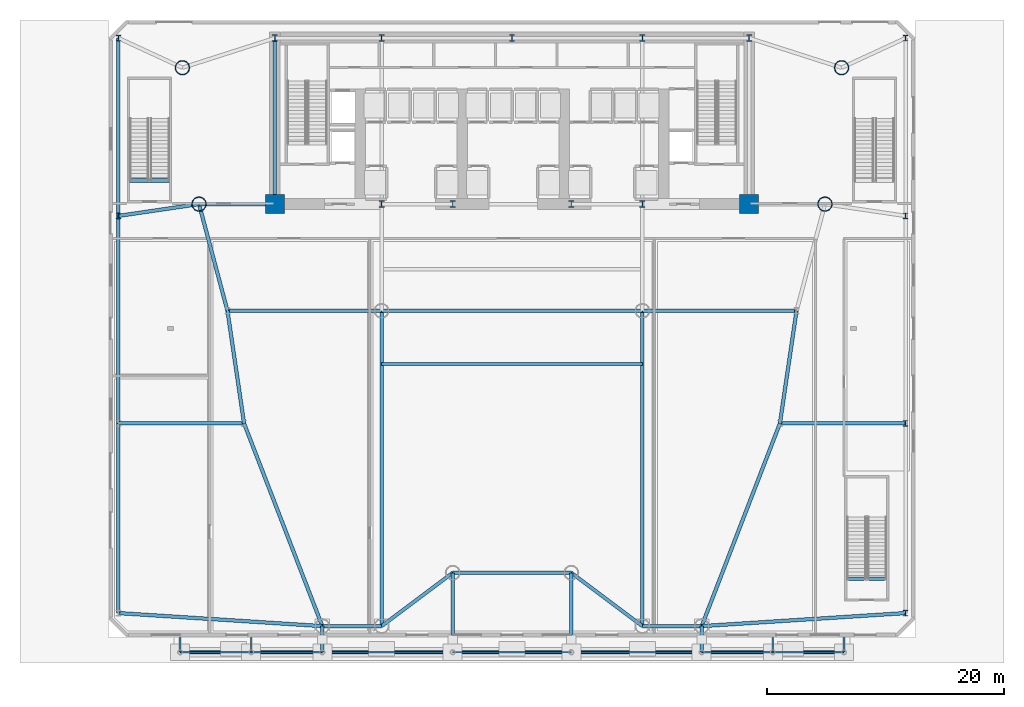
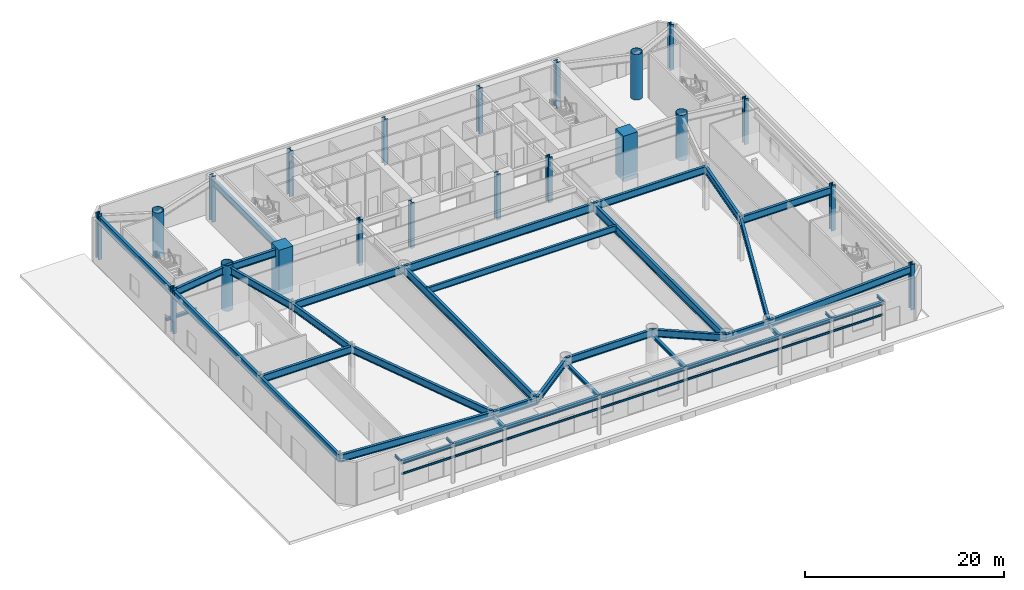
# One storey, part 4 of 20: 46 beams, 21 columns, 4 members.
"""IFC4 building model written with IfcOpenShell, lengths in metres."""

from ifc_helpers import new_model, si_unit, direction, frame, origin, origin_2d, place, context, subcontext, project, spatial, rectangle, hollow_circle, i_section, extrude, source, transform, mapped, material, material_profile, profile_set, type_object, element, save


model = new_model("IFC4")

# Units and contexts
model_context = context("Model", 3, precision=1e-05, world=origin(), true_north=direction((0.0, 1.0)))
body_context = subcontext(model_context, "Body", "Model", "MODEL_VIEW")
ifc_project = project(units=[si_unit("LENGTHUNIT", "METRE"), si_unit("AREAUNIT", "SQUARE_METRE"), si_unit("VOLUMEUNIT", "CUBIC_METRE"), si_unit("PLANEANGLEUNIT", "RADIAN"), si_unit("MASSUNIT", "GRAM", prefix="KILO")], contexts=[model_context])

# Site, building, storey
site_placement = place(None, origin())
site = spatial("IfcSite", under=ifc_project, at=site_placement, CompositionType="ELEMENT")
building_placement = place(site_placement, origin())
building = spatial("IfcBuilding", under=site, at=building_placement, Name="Vaeldorn Concourse Tower", CompositionType="ELEMENT")
storey_placement = place(building_placement, origin())
storey = spatial("IfcBuildingStorey", under=building, at=storey_placement, Name="L00", CompositionType="ELEMENT", Elevation=0.0)

# Columns
ifc_material_1 = material(Name="Concrete C60/75", Category="concrete")
ifc_material_profile_1 = material_profile(ifc_material_1, rectangle(XDim=1.60009765625, YDim=1.60009765625, at=origin_2d()), Name="RC 1600x1600")
ifc_profile_set_1 = profile_set([ifc_material_profile_1], Name="Concrete C60/75")
column_type_1 = type_object("IfcColumnType", Name="COL-RC1600", PredefinedType="COLUMN", material=ifc_profile_set_1)
shared_shape_1 = source(origin(), body_context, "Body", "SweptSolid", [
    extrude(rectangle(XDim=1.60009765625, YDim=1.60009765625, at=origin_2d()), origin(), (0.0, 0.0, 1.0), 5.60009765625),
])
for number, where, z_axis, x_axis, name in (
    (1, (14.0, 36.5, 0.0), (0.0, 0.0, 1.0), (1.0, 0.0, 0.0), "Column C-FC1 L00"),
    (2, (54.0, 36.5, 0.0), (0.0, 0.0, 1.0), (1.0, 0.0, 0.0), "Column C-FC6 L00"),
):
    element("IfcColumn", number, at=place(storey_placement, frame(where, z_axis=z_axis, x_axis=x_axis)), inside=storey, type_object=column_type_1, Name=name, PredefinedType="COLUMN", context=body_context, shape_type="MappedRepresentation", body=[
        mapped(shared_shape_1, transform((0.0, 0.0, 0.0), scale=1.0)),
    ])
ifc_material_2 = material(Name="Steel S460", Category="steel")
ifc_material_profile_2 = material_profile(ifc_material_2, i_section(OverallWidth=0.4541015625, OverallDepth=0.569091796875, WebThickness=0.077880859375, FlangeThickness=0.080078125, FilletRadius=0.014892578125, at=origin_2d()), Name="HD 400x1086")
ifc_profile_set_2 = profile_set([ifc_material_profile_2], Name="Steel S460")
column_type_2 = type_object("IfcColumnType", Name="COL-HD1086", PredefinedType="COLUMN", material=ifc_profile_set_2)
shared_shape_2 = source(origin(), body_context, "Body", "SweptSolid", [
    extrude(i_section(OverallWidth=0.4541015625, OverallDepth=0.569091796875, WebThickness=0.077880859375, FlangeThickness=0.080078125, FilletRadius=0.014892578125, at=origin_2d()), origin(), (0.0, 0.0, 1.0), 5.60009765625),
])
for number, where, z_axis, x_axis, name in (
    (3, (23.0, 36.5, 0.0), (0.0, 0.0, 1.0), (1.0, 0.0, 0.0), "Column C-FC2 L00"),
    (4, (29.0, 36.5, 0.0), (0.0, 0.0, 1.0), (1.0, 0.0, 0.0), "Column C-FC3 L00"),
    (5, (39.0, 36.5, 0.0), (0.0, 0.0, 1.0), (1.0, 0.0, 0.0), "Column C-FC4 L00"),
    (6, (45.0, 36.5, 0.0), (0.0, 0.0, 1.0), (1.0, 0.0, 0.0), "Column C-FC5 L00"),
    (7, (14.0, 50.5, 0.0), (0.0, 0.0, 1.0), (1.0, 0.0, 0.0), "Column C-HC1 L00"),
    (8, (23.0, 50.5, 0.0), (0.0, 0.0, 1.0), (1.0, 0.0, 0.0), "Column C-HC2 L00"),
    (9, (34.0, 50.5, 0.0), (0.0, 0.0, 1.0), (1.0, 0.0, 0.0), "Column C-HC3 L00"),
    (10, (45.0, 50.5, 0.0), (0.0, 0.0, 1.0), (1.0, 0.0, 0.0), "Column C-HC4 L00"),
    (11, (54.0, 50.5, 0.0), (0.0, 0.0, 1.0), (1.0, 0.0, 0.0), "Column C-HC5 L00"),
):
    element("IfcColumn", number, at=place(storey_placement, frame(where, z_axis=z_axis, x_axis=x_axis)), inside=storey, type_object=column_type_2, Name=name, PredefinedType="COLUMN", context=body_context, shape_type="MappedRepresentation", body=[
        mapped(shared_shape_2, transform((0.0, 0.0, 0.0), scale=1.0)),
    ])
ifc_material_profile_3 = material_profile(ifc_material_2, hollow_circle(Radius=0.609619140625, WallThickness=0.050048828125, at=origin_2d()), Name="CHS 1219x50")
ifc_profile_set_3 = profile_set([ifc_material_profile_3], Name="Steel S460")
column_type_3 = type_object("IfcColumnType", Name="COL-CHS1219", PredefinedType="COLUMN", material=ifc_profile_set_3)
shared_shape_3 = source(origin(), body_context, "Body", "SweptSolid", [
    extrude(hollow_circle(Radius=0.609619140625, WallThickness=0.050048828125, at=origin_2d()), origin(), (0.0, 0.0, 1.0), 5.60009765625),
])
for number, where, z_axis, x_axis, name in (
    (12, (6.199951171875, 48.0, 0.0), (0.0, 0.0, 1.0), (1.0, 0.0, 0.0), "Column C-NW1 L00"),
    (13, (7.60009765625, 36.5, 0.0), (0.0, 0.0, 1.0), (1.0, 0.0, 0.0), "Column C-NW2 L00"),
    (14, (61.800048828125, 48.0, 0.0), (0.0, 0.0, 1.0), (1.0, 0.0, 0.0), "Column C-NE1 L00"),
    (15, (60.39990234375, 36.5, 0.0), (0.0, 0.0, 1.0), (1.0, 0.0, 0.0), "Column C-NE2 L00"),
):
    element("IfcColumn", number, at=place(storey_placement, frame(where, z_axis=z_axis, x_axis=x_axis)), inside=storey, type_object=column_type_3, Name=name, PredefinedType="COLUMN", context=body_context, shape_type="MappedRepresentation", body=[
        mapped(shared_shape_3, transform((0.0, 0.0, 0.0), scale=1.0)),
    ])
ifc_material_profile_4 = material_profile(ifc_material_2, i_section(OverallWidth=0.44189453125, OverallDepth=0.531005859375, WebThickness=0.06494140625, FlangeThickness=0.075927734375, FilletRadius=0.014892578125, at=origin_2d()), Name="HD 400x900")
ifc_profile_set_4 = profile_set([ifc_material_profile_4], Name="Steel S460")
column_type_4 = type_object("IfcColumnType", Name="COL-HD900F", PredefinedType="COLUMN", material=ifc_profile_set_4)
shared_shape_4 = source(origin(), body_context, "Body", "SweptSolid", [
    extrude(i_section(OverallWidth=0.44189453125, OverallDepth=0.531005859375, WebThickness=0.06494140625, FlangeThickness=0.075927734375, FilletRadius=0.014892578125, at=origin_2d()), origin(), (0.0, 0.0, 1.0), 5.60009765625),
])
for number, where, z_axis, x_axis, name in (
    (16, (0.800048828125, 35.5, 0.0), (0.0, 0.0, 1.0), (1.0, 0.0, 0.0), "Column C-PW3 L00"),
    (17, (0.800048828125, 50.5, 0.0), (0.0, 0.0, 1.0), (1.0, 0.0, 0.0), "Column C-PW4 L00"),
    (18, (67.199951171875, 2.0, 0.0), (0.0, 0.0, 1.0), (1.0, 0.0, 0.0), "Column C-PE1 L00"),
    (19, (67.199951171875, 18.0, 0.0), (0.0, 0.0, 1.0), (1.0, 0.0, 0.0), "Column C-PE2 L00"),
    (20, (67.199951171875, 35.5, 0.0), (0.0, 0.0, 1.0), (1.0, 0.0, 0.0), "Column C-PE3 L00"),
    (21, (67.199951171875, 50.5, 0.0), (0.0, 0.0, 1.0), (1.0, 0.0, 0.0), "Column C-PE4 L00"),
):
    element("IfcColumn", number, at=place(storey_placement, frame(where, z_axis=z_axis, x_axis=x_axis)), inside=storey, type_object=column_type_4, Name=name, PredefinedType="COLUMN", context=body_context, shape_type="MappedRepresentation", body=[
        mapped(shared_shape_4, transform((0.0, 0.0, 0.0), scale=1.0)),
    ])

# Beams
ifc_material_3 = material(Name="Steel S355", Category="steel")
ifc_material_profile_5 = material_profile(ifc_material_3, i_section(OverallWidth=0.300048828125, OverallDepth=0.449951171875, WebThickness=0.013916015625, FlangeThickness=0.02587890625, FilletRadius=0.027099609375, at=origin_2d()), Name="HEB 450")
ifc_profile_set_5 = profile_set([ifc_material_profile_5], Name="Steel S355")
beam_type_1 = type_object("IfcBeamType", Name="BM-PG-HEB450", PredefinedType="BEAM", material=ifc_profile_set_5)
shared_shape_5 = source(origin(), body_context, "Body", "SweptSolid", [
    extrude(i_section(OverallWidth=0.300048828125, OverallDepth=0.449951171875, WebThickness=0.013916015625, FlangeThickness=0.02587890625, FilletRadius=0.027099609375, at=origin_2d()), origin(), (0.0, 0.0, 1.0), 6.0),
])
for number, where, z_axis, x_axis, name in (
    (22, (6.0, -1.300048828125, 4.574951171875), (1.0, 0.0, 0.0), (0.0, 1.0, 0.0), "Canopy Front Header Beam 1"),
    (23, (12.0, -1.300048828125, 4.574951171875), (1.0, 0.0, 0.0), (0.0, 1.0, 0.0), "Canopy Front Header Beam 2"),
    (24, (50.0, -1.300048828125, 4.574951171875), (1.0, 0.0, 0.0), (0.0, 1.0, 0.0), "Canopy Front Header Beam 6"),
    (25, (56.0, -1.300048828125, 4.574951171875), (1.0, 0.0, 0.0), (0.0, 1.0, 0.0), "Canopy Front Header Beam 7"),
):
    element("IfcBeam", number, at=place(storey_placement, frame(where, z_axis=z_axis, x_axis=x_axis)), inside=storey, type_object=beam_type_1, Name=name, PredefinedType="BEAM", context=body_context, shape_type="MappedRepresentation", body=[
        mapped(shared_shape_5, transform((0.0, 0.0, 0.0), scale=1.0)),
    ])
shared_shape_6 = source(origin(), body_context, "Body", "SweptSolid", [
    extrude(i_section(OverallWidth=0.300048828125, OverallDepth=0.449951171875, WebThickness=0.013916015625, FlangeThickness=0.02587890625, FilletRadius=0.027099609375, at=origin_2d()), origin(), (0.0, 0.0, 1.0), 11.0),
])
for number, where, z_axis, x_axis, name in (
    (26, (18.0, -1.300048828125, 4.574951171875), (1.0, 0.0, 0.0), (0.0, 1.0, 0.0), "Canopy Front Header Beam 3"),
    (27, (39.0, -1.300048828125, 4.574951171875), (1.0, 0.0, 0.0), (0.0, 1.0, 0.0), "Canopy Front Header Beam 5"),
):
    element("IfcBeam", number, at=place(storey_placement, frame(where, z_axis=z_axis, x_axis=x_axis)), inside=storey, type_object=beam_type_1, Name=name, PredefinedType="BEAM", context=body_context, shape_type="MappedRepresentation", body=[
        mapped(shared_shape_6, transform((0.0, 0.0, 0.0), scale=1.0)),
    ])
shared_shape_7 = source(origin(), body_context, "Body", "SweptSolid", [
    extrude(i_section(OverallWidth=0.300048828125, OverallDepth=0.449951171875, WebThickness=0.013916015625, FlangeThickness=0.02587890625, FilletRadius=0.027099609375, at=origin_2d()), origin(), (0.0, 0.0, 1.0), 10.0),
])
beam_1_placement = place(storey_placement, frame((29.0, -1.300048828125, 4.574951171875), z_axis=(1.0, 0.0, 0.0), x_axis=(0.0, 1.0, 0.0)))
element("IfcBeam", 28, at=beam_1_placement, inside=storey, type_object=beam_type_1, Name="Canopy Front Header Beam 4", PredefinedType="BEAM", context=body_context, shape_type="MappedRepresentation", body=[
    mapped(shared_shape_7, transform((0.0, 0.0, 0.0), scale=1.0)),
])

# Members
ifc_material_profile_6 = material_profile(ifc_material_3, i_section(OverallWidth=0.14990234375, OverallDepth=0.300048828125, WebThickness=0.007080078125, FlangeThickness=0.0107421875, FilletRadius=0.014892578125, at=origin_2d()), Name="IPE 300")
ifc_profile_set_6 = profile_set([ifc_material_profile_6], Name="Steel S355")
member_type = type_object("IfcMemberType", Name="MB-PUR-IPE300", PredefinedType="PURLIN", material=ifc_profile_set_6)
shared_shape_8 = source(origin(), body_context, "Body", "SweptSolid", [
    extrude(i_section(OverallWidth=0.14990234375, OverallDepth=0.300048828125, WebThickness=0.007080078125, FlangeThickness=0.0107421875, FilletRadius=0.014892578125, at=origin_2d()), origin(), (0.0, 0.0, 1.0), 1.25),
])
for number, where, z_axis, x_axis, name in (
    (29, (6.0, -1.300048828125, 4.64990234375), (0.0, 1.0, 0.0), (-1.0, 0.0, 0.0), "Canopy Steel Purlin 1"),
    (30, (12.0, -1.300048828125, 4.64990234375), (0.0, 1.0, 0.0), (-1.0, 0.0, 0.0), "Canopy Steel Purlin 2"),
    (31, (56.0, -1.300048828125, 4.64990234375), (0.0, 1.0, 0.0), (-1.0, 0.0, 0.0), "Canopy Steel Purlin 3"),
    (32, (62.0, -1.300048828125, 4.64990234375), (0.0, 1.0, 0.0), (-1.0, 0.0, 0.0), "Canopy Steel Purlin 4"),
):
    element("IfcMember", number, at=place(storey_placement, frame(where, z_axis=z_axis, x_axis=x_axis)), inside=storey, type_object=member_type, Name=name, PredefinedType="PURLIN", context=body_context, shape_type="MappedRepresentation", body=[
        mapped(shared_shape_8, transform((0.0, 0.0, 0.0), scale=1.0)),
    ])

# Beams
shared_shape_9 = source(origin(), body_context, "Body", "SweptSolid", [
    extrude(i_section(OverallWidth=0.300048828125, OverallDepth=0.449951171875, WebThickness=0.013916015625, FlangeThickness=0.02587890625, FilletRadius=0.027099609375, at=origin_2d()), origin(), (0.0, 0.0, 1.0), 2.199951171875),
])
for number, where, z_axis, x_axis, name in (
    (33, (18.0, -1.300048828125, 4.574951171875), (0.0, 1.0, 0.0), (-1.0, 0.0, 0.0), "Canopy Tie Beam 1"),
    (34, (50.0, -1.300048828125, 4.574951171875), (0.0, 1.0, 0.0), (-1.0, 0.0, 0.0), "Canopy Tie Beam 4"),
):
    element("IfcBeam", number, at=place(storey_placement, frame(where, z_axis=z_axis, x_axis=x_axis)), inside=storey, type_object=beam_type_1, Name=name, PredefinedType="BEAM", context=body_context, shape_type="MappedRepresentation", body=[
        mapped(shared_shape_9, transform((0.0, 0.0, 0.0), scale=1.0)),
    ])
shared_shape_10 = source(origin(), body_context, "Body", "SweptSolid", [
    extrude(i_section(OverallWidth=0.300048828125, OverallDepth=0.449951171875, WebThickness=0.013916015625, FlangeThickness=0.02587890625, FilletRadius=0.027099609375, at=origin_2d()), origin(), (0.0, 0.0, 1.0), 6.699951171875),
])
for number, where, z_axis, x_axis, name in (
    (35, (29.0, -1.300048828125, 4.574951171875), (0.0, 1.0, 0.0), (-1.0, 0.0, 0.0), "Canopy Tie Beam 2"),
    (36, (39.0, -1.300048828125, 4.574951171875), (0.0, 1.0, 0.0), (-1.0, 0.0, 0.0), "Canopy Tie Beam 3"),
):
    element("IfcBeam", number, at=place(storey_placement, frame(where, z_axis=z_axis, x_axis=x_axis)), inside=storey, type_object=beam_type_1, Name=name, PredefinedType="BEAM", context=body_context, shape_type="MappedRepresentation", body=[
        mapped(shared_shape_10, transform((0.0, 0.0, 0.0), scale=1.0)),
    ])
ifc_material_profile_7 = material_profile(ifc_material_3, i_section(OverallWidth=0.300048828125, OverallDepth=0.340087890625, WebThickness=0.011962890625, FlangeThickness=0.021484375, FilletRadius=0.027099609375, at=origin_2d()), Name="HEB 340")
ifc_profile_set_7 = profile_set([ifc_material_profile_7], Name="Steel S355")
beam_type_2 = type_object("IfcBeamType", Name="BM-ST-TRIM", PredefinedType="BEAM", material=ifc_profile_set_7)
shared_shape_11 = source(origin(), body_context, "Body", "SweptSolid", [
    extrude(i_section(OverallWidth=0.300048828125, OverallDepth=0.340087890625, WebThickness=0.011962890625, FlangeThickness=0.021484375, FilletRadius=0.027099609375, at=origin_2d()), origin(), (0.0, 0.0, 1.0), 3.590087890625),
])
for number, where, z_axis, x_axis, name in (
    (37, (1.6298828125, 38.489990234375, -0.489990234375), (1.0, 0.0, 0.0), (0.0, 1.0, 0.0), "Stair Landing Trimmer Beam ST-3 L00"),
    (38, (62.1298828125, 4.889892578125, -0.489990234375), (1.0, 0.0, 0.0), (0.0, 1.0, 0.0), "Stair Landing Trimmer Beam ST-5 L00"),
):
    element("IfcBeam", number, at=place(storey_placement, frame(where, z_axis=z_axis, x_axis=x_axis)), inside=storey, type_object=beam_type_2, Name=name, PredefinedType="BEAM", context=body_context, shape_type="MappedRepresentation", body=[
        mapped(shared_shape_11, transform((0.0, 0.0, 0.0), scale=1.0)),
    ])
ifc_material_profile_8 = material_profile(ifc_material_3, i_section(OverallWidth=0.302001953125, OverallDepth=0.909912109375, WebThickness=0.02099609375, FlangeThickness=0.0400390625, FilletRadius=0.030029296875, at=origin_2d()), Name="HEM 900")
ifc_profile_set_8 = profile_set([ifc_material_profile_8], Name="Steel S355")
beam_type_3 = type_object("IfcBeamType", Name="BM-PG-HEM900", PredefinedType="BEAM", material=ifc_profile_set_8)
shared_shape_12 = source(origin(), body_context, "Body", "SweptSolid", [
    extrude(i_section(OverallWidth=0.302001953125, OverallDepth=0.909912109375, WebThickness=0.02099609375, FlangeThickness=0.0400390625, FilletRadius=0.030029296875, at=origin_2d()), origin(), (0.0, 0.0, 1.0), 10.0),
])
beam_2_placement = place(storey_placement, frame((29.0, 5.39990234375, 4.864990234375), z_axis=(1.0, 0.0, 0.0), x_axis=(0.0, 1.0, 0.0)))
element("IfcBeam", 39, at=beam_2_placement, inside=storey, type_object=beam_type_3, Name="Beam BM-L00-C-SM3-C-SM4", PredefinedType="BEAM", context=body_context, shape_type="MappedRepresentation", body=[
    mapped(shared_shape_12, transform((0.0, 0.0, 0.0), scale=1.0)),
])
shared_shape_13 = source(origin(), body_context, "Body", "SweptSolid", [
    extrude(i_section(OverallWidth=0.302001953125, OverallDepth=0.909912109375, WebThickness=0.02099609375, FlangeThickness=0.0400390625, FilletRadius=0.030029296875, at=origin_2d()), origin(), (0.0, 0.0, 1.0), 14.0),
])
beam_3_placement = place(storey_placement, frame((14.0, 36.5, 4.864990234375), z_axis=(0.0, 1.0, 0.0), x_axis=(-1.0, 0.0, 0.0)))
element("IfcBeam", 40, at=beam_3_placement, inside=storey, type_object=beam_type_3, Name="Beam BM-L00-C-FC1-C-HC1", PredefinedType="BEAM", context=body_context, shape_type="MappedRepresentation", body=[
    mapped(shared_shape_13, transform((0.0, 0.0, 0.0), scale=1.0)),
])
shared_shape_14 = source(origin(), body_context, "Body", "SweptSolid", [
    extrude(i_section(OverallWidth=0.302001953125, OverallDepth=0.909912109375, WebThickness=0.02099609375, FlangeThickness=0.0400390625, FilletRadius=0.030029296875, at=origin_2d()), origin(), (0.0, 0.0, 1.0), 16.0),
])
beam_4_placement = place(storey_placement, frame((0.800048828125, 2.0, 4.864990234375), z_axis=(0.0, 1.0, 0.0), x_axis=(-1.0, 0.0, 0.0)))
element("IfcBeam", 41, at=beam_4_placement, inside=storey, type_object=beam_type_3, Name="Beam BM-L00-C-PW1-C-PW2", PredefinedType="BEAM", context=body_context, shape_type="MappedRepresentation", body=[
    mapped(shared_shape_14, transform((0.0, 0.0, 0.0), scale=1.0)),
])
shared_shape_15 = source(origin(), body_context, "Body", "SweptSolid", [
    extrude(i_section(OverallWidth=0.302001953125, OverallDepth=0.909912109375, WebThickness=0.02099609375, FlangeThickness=0.0400390625, FilletRadius=0.030029296875, at=origin_2d()), origin(), (0.0, 0.0, 1.0), 17.5),
])
beam_5_placement = place(storey_placement, frame((0.800048828125, 18.0, 4.864990234375), z_axis=(0.0, 1.0, 0.0), x_axis=(-1.0, 0.0, 0.0)))
element("IfcBeam", 42, at=beam_5_placement, inside=storey, type_object=beam_type_3, Name="Beam BM-L00-C-PW2-C-PW3", PredefinedType="BEAM", context=body_context, shape_type="MappedRepresentation", body=[
    mapped(shared_shape_15, transform((0.0, 0.0, 0.0), scale=1.0)),
])
shared_shape_16 = source(origin(), body_context, "Body", "SweptSolid", [
    extrude(i_section(OverallWidth=0.302001953125, OverallDepth=0.909912109375, WebThickness=0.02099609375, FlangeThickness=0.0400390625, FilletRadius=0.030029296875, at=origin_2d()), origin(), (0.0, 0.0, 1.0), 15.0),
])
beam_6_placement = place(storey_placement, frame((0.800048828125, 35.5, 4.864990234375), z_axis=(0.0, 1.0, 0.0), x_axis=(-1.0, 0.0, 0.0)))
element("IfcBeam", 43, at=beam_6_placement, inside=storey, type_object=beam_type_3, Name="Beam BM-L00-C-PW3-C-PW4", PredefinedType="BEAM", context=body_context, shape_type="MappedRepresentation", body=[
    mapped(shared_shape_16, transform((0.0, 0.0, 0.0), scale=1.0)),
])
shared_shape_17 = source(origin(), body_context, "Body", "SweptSolid", [
    extrude(i_section(OverallWidth=0.302001953125, OverallDepth=0.909912109375, WebThickness=0.02099609375, FlangeThickness=0.0400390625, FilletRadius=0.030029296875, at=origin_2d()), origin(), (0.0, 0.0, 1.0), 5.0),
])
for number, where, z_axis, x_axis, name in (
    (44, (18.0, 0.89990234375, 4.864990234375), (1.0, 0.0, 0.0), (0.0, 1.0, 0.0), "Beam BM-L00-C-SM1-C-SM2"),
    (45, (45.0, 0.89990234375, 4.864990234375), (1.0, 0.0, 0.0), (0.0, 1.0, 0.0), "Beam BM-L00-C-SM5-C-SM6"),
):
    element("IfcBeam", number, at=place(storey_placement, frame(where, z_axis=z_axis, x_axis=x_axis)), inside=storey, type_object=beam_type_3, Name=name, PredefinedType="BEAM", context=body_context, shape_type="MappedRepresentation", body=[
        mapped(shared_shape_17, transform((0.0, 0.0, 0.0), scale=1.0)),
    ])
shared_shape_18 = source(origin(), body_context, "Body", "SweptSolid", [
    extrude(i_section(OverallWidth=0.302001953125, OverallDepth=0.909912109375, WebThickness=0.02099609375, FlangeThickness=0.0400390625, FilletRadius=0.030029296875, at=origin_2d()), origin(), (0.0, 0.0, 1.0), 7.5),
])
for number, where, z_axis, x_axis, name in (
    (46, (23.0, 0.89990234375, 4.864990234375), (0.8, 0.6, 0.0), (-0.6, 0.8, 0.0), "Beam BM-L00-C-SM2-C-SM3"),
    (47, (39.0, 5.39990234375, 4.864990234375), (0.8, -0.6, 0.0), (0.6, 0.8, 0.0), "Beam BM-L00-C-SM4-C-SM5"),
):
    element("IfcBeam", number, at=place(storey_placement, frame(where, z_axis=z_axis, x_axis=x_axis)), inside=storey, type_object=beam_type_3, Name=name, PredefinedType="BEAM", context=body_context, shape_type="MappedRepresentation", body=[
        mapped(shared_shape_18, transform((0.0, 0.0, 0.0), scale=1.0)),
    ])
shared_shape_19 = source(origin(), body_context, "Body", "SweptSolid", [
    extrude(i_section(OverallWidth=0.302001953125, OverallDepth=0.909912109375, WebThickness=0.02099609375, FlangeThickness=0.0400390625, FilletRadius=0.030029296875, at=origin_2d()), origin(), (0.0, 0.0, 1.0), 17.235107421875),
])
for number, where, z_axis, x_axis, name in (
    (48, (0.800048828125, 2.0, 4.864990234375), (0.997960855094, -0.063828925254, 0.0), (0.063828925254, 0.997960855094, 0.0), "Beam BM-L00-C-PW1-C-SM1"),
    (49, (50.0, 0.89990234375, 4.864990234375), (0.997960855094, 0.063828925254, 0.0), (-0.063828925254, 0.997960855094, 0.0), "Beam BM-L00-C-SM6-C-PE1"),
):
    element("IfcBeam", number, at=place(storey_placement, frame(where, z_axis=z_axis, x_axis=x_axis)), inside=storey, type_object=beam_type_3, Name=name, PredefinedType="BEAM", context=body_context, shape_type="MappedRepresentation", body=[
        mapped(shared_shape_19, transform((0.0, 0.0, 0.0), scale=1.0)),
    ])
shared_shape_20 = source(origin(), body_context, "Body", "SweptSolid", [
    extrude(i_section(OverallWidth=0.302001953125, OverallDepth=0.909912109375, WebThickness=0.02099609375, FlangeThickness=0.0400390625, FilletRadius=0.030029296875, at=origin_2d()), origin(), (0.0, 0.0, 1.0), 6.873291015625),
])
beam_7_placement = place(storey_placement, frame((0.800048828125, 35.5, 4.864990234375), z_axis=(0.989359285749, 0.145492967882, 0.0), x_axis=(-0.145492967882, 0.989359285749, 0.0)))
element("IfcBeam", 50, at=beam_7_placement, inside=storey, type_object=beam_type_3, Name="Beam BM-L00-C-PW3-C-NW2", PredefinedType="BEAM", context=body_context, shape_type="MappedRepresentation", body=[
    mapped(shared_shape_20, transform((0.0, 0.0, 0.0), scale=1.0)),
])
shared_shape_21 = source(origin(), body_context, "Body", "SweptSolid", [
    extrude(i_section(OverallWidth=0.302001953125, OverallDepth=0.909912109375, WebThickness=0.02099609375, FlangeThickness=0.0400390625, FilletRadius=0.030029296875, at=origin_2d()), origin(), (0.0, 0.0, 1.0), 6.39990234375),
])
beam_8_placement = place(storey_placement, frame((7.60009765625, 36.5, 4.864990234375), z_axis=(1.0, 0.0, 0.0), x_axis=(0.0, 1.0, 0.0)))
element("IfcBeam", 51, at=beam_8_placement, inside=storey, type_object=beam_type_3, Name="Beam BM-L00-C-NW2-C-FC1", PredefinedType="BEAM", context=body_context, shape_type="MappedRepresentation", body=[
    mapped(shared_shape_21, transform((0.0, 0.0, 0.0), scale=1.0)),
])
shared_shape_22 = source(origin(), body_context, "Body", "SweptSolid", [
    extrude(i_section(OverallWidth=0.302001953125, OverallDepth=0.909912109375, WebThickness=0.02099609375, FlangeThickness=0.0400390625, FilletRadius=0.030029296875, at=origin_2d()), origin(), (0.0, 0.0, 1.0), 9.314453125),
])
beam_9_placement = place(storey_placement, frame((7.60009765625, 36.5, 4.864990234375), z_axis=(0.257652862255, -0.966237549763, 0.0), x_axis=(0.966237549763, 0.257652862255, 0.0)))
element("IfcBeam", 52, at=beam_9_placement, inside=storey, type_object=beam_type_3, Name="Beam BM-L00-C-NW2-C-FLW1", PredefinedType="BEAM", context=body_context, shape_type="MappedRepresentation", body=[
    mapped(shared_shape_22, transform((0.0, 0.0, 0.0), scale=1.0)),
])
shared_shape_23 = source(origin(), body_context, "Body", "SweptSolid", [
    extrude(i_section(OverallWidth=0.302001953125, OverallDepth=0.909912109375, WebThickness=0.02099609375, FlangeThickness=0.0400390625, FilletRadius=0.030029296875, at=origin_2d()), origin(), (0.0, 0.0, 1.0), 9.6025390625),
])
for number, where, z_axis, x_axis, name in (
    (53, (10.0, 27.5, 4.864990234375), (0.145783835977, -0.989316467652, 0.0), (0.989316467652, 0.145783835977, 0.0), "Beam BM-L00-C-FLW1-C-FLW2"),
    (54, (58.0, 27.5, 4.864990234375), (-0.145783835977, -0.989316467652, 0.0), (0.989316467652, -0.145783835977, 0.0), "Beam BM-L00-C-FLE1-C-FLE2"),
):
    element("IfcBeam", number, at=place(storey_placement, frame(where, z_axis=z_axis, x_axis=x_axis)), inside=storey, type_object=beam_type_3, Name=name, PredefinedType="BEAM", context=body_context, shape_type="MappedRepresentation", body=[
        mapped(shared_shape_23, transform((0.0, 0.0, 0.0), scale=1.0)),
    ])
shared_shape_24 = source(origin(), body_context, "Body", "SweptSolid", [
    extrude(i_section(OverallWidth=0.302001953125, OverallDepth=0.909912109375, WebThickness=0.02099609375, FlangeThickness=0.0400390625, FilletRadius=0.030029296875, at=origin_2d()), origin(), (0.0, 0.0, 1.0), 18.32958984375),
])
for number, where, z_axis, x_axis, name in (
    (55, (11.39990234375, 18.0, 4.864990234375), (0.36007844134, -0.932922031084, 0.0), (0.932922031084, 0.36007844134, 0.0), "Beam BM-L00-C-FLW2-C-SM1"),
    (56, (56.60009765625, 18.0, 4.864990234375), (-0.36007844134, -0.932922031084, 0.0), (0.932922031084, -0.36007844134, 0.0), "Beam BM-L00-C-FLE2-C-SM6"),
):
    element("IfcBeam", number, at=place(storey_placement, frame(where, z_axis=z_axis, x_axis=x_axis)), inside=storey, type_object=beam_type_3, Name=name, PredefinedType="BEAM", context=body_context, shape_type="MappedRepresentation", body=[
        mapped(shared_shape_24, transform((0.0, 0.0, 0.0), scale=1.0)),
    ])
ifc_material_profile_9 = material_profile(ifc_material_2, i_section(OverallWidth=0.302001953125, OverallDepth=1.008056640625, WebThickness=0.02099609375, FlangeThickness=0.0400390625, FilletRadius=0.030029296875, at=origin_2d()), Name="HEM 1000")
ifc_profile_set_9 = profile_set([ifc_material_profile_9], Name="Steel S460")
beam_type_4 = type_object("IfcBeamType", Name="BM-TG-HEM1000", PredefinedType="BEAM", material=ifc_profile_set_9)
shared_shape_25 = source(origin(), body_context, "Body", "SweptSolid", [
    extrude(i_section(OverallWidth=0.302001953125, OverallDepth=1.008056640625, WebThickness=0.02099609375, FlangeThickness=0.0400390625, FilletRadius=0.030029296875, at=origin_2d()), origin(), (0.0, 0.0, 1.0), 26.60009765625),
])
for number, where, z_axis, x_axis, name in (
    (57, (23.0, 0.89990234375, 4.81591796875), (0.0, 1.0, 0.0), (-1.0, 0.0, 0.0), "Beam BM-L00-C-SM2-C-TW1"),
    (58, (45.0, 0.89990234375, 4.81591796875), (0.0, 1.0, 0.0), (-1.0, 0.0, 0.0), "Beam BM-L00-C-SM5-C-TW4"),
):
    element("IfcBeam", number, at=place(storey_placement, frame(where, z_axis=z_axis, x_axis=x_axis)), inside=storey, type_object=beam_type_4, Name=name, PredefinedType="BEAM", context=body_context, shape_type="MappedRepresentation", body=[
        mapped(shared_shape_25, transform((0.0, 0.0, 0.0), scale=1.0)),
    ])
shared_shape_26 = source(origin(), body_context, "Body", "SweptSolid", [
    extrude(i_section(OverallWidth=0.302001953125, OverallDepth=1.008056640625, WebThickness=0.02099609375, FlangeThickness=0.0400390625, FilletRadius=0.030029296875, at=origin_2d()), origin(), (0.0, 0.0, 1.0), 22.0),
])
beam_10_placement = place(storey_placement, frame((23.0, 27.5, 4.81591796875), z_axis=(1.0, 0.0, 0.0), x_axis=(0.0, 1.0, 0.0)))
element("IfcBeam", 59, at=beam_10_placement, inside=storey, type_object=beam_type_4, Name="Beam BM-L00-C-TW1-C-TW4", PredefinedType="BEAM", context=body_context, shape_type="MappedRepresentation", body=[
    mapped(shared_shape_26, transform((0.0, 0.0, 0.0), scale=1.0)),
])
shared_shape_27 = source(origin(), body_context, "Body", "SweptSolid", [
    extrude(i_section(OverallWidth=0.302001953125, OverallDepth=0.909912109375, WebThickness=0.02099609375, FlangeThickness=0.0400390625, FilletRadius=0.030029296875, at=origin_2d()), origin(), (0.0, 0.0, 1.0), 13.0),
])
for number, where, z_axis, x_axis, name in (
    (60, (10.0, 27.5, 4.864990234375), (1.0, 0.0, 0.0), (0.0, 1.0, 0.0), "Beam BM-L00-C-FLW1-C-TW1"),
    (61, (45.0, 27.5, 4.864990234375), (1.0, 0.0, 0.0), (0.0, 1.0, 0.0), "Beam BM-L00-C-TW4-C-FLE1"),
):
    element("IfcBeam", number, at=place(storey_placement, frame(where, z_axis=z_axis, x_axis=x_axis)), inside=storey, type_object=beam_type_3, Name=name, PredefinedType="BEAM", context=body_context, shape_type="MappedRepresentation", body=[
        mapped(shared_shape_27, transform((0.0, 0.0, 0.0), scale=1.0)),
    ])
shared_shape_28 = source(origin(), body_context, "Body", "SweptSolid", [
    extrude(i_section(OverallWidth=0.302001953125, OverallDepth=0.909912109375, WebThickness=0.02099609375, FlangeThickness=0.0400390625, FilletRadius=0.030029296875, at=origin_2d()), origin(), (0.0, 0.0, 1.0), 10.599853515625),
])
for number, where, z_axis, x_axis, name in (
    (62, (0.800048828125, 18.0, 4.864990234375), (1.0, 0.0, 0.0), (0.0, 1.0, 0.0), "Beam BM-L00-C-PW2-C-FLW2"),
    (63, (67.199951171875, 18.0, 4.864990234375), (-1.0, 0.0, 0.0), (0.0, -1.0, 0.0), "Beam BM-L00-C-PE2-C-FLE2"),
):
    element("IfcBeam", number, at=place(storey_placement, frame(where, z_axis=z_axis, x_axis=x_axis)), inside=storey, type_object=beam_type_3, Name=name, PredefinedType="BEAM", context=body_context, shape_type="MappedRepresentation", body=[
        mapped(shared_shape_28, transform((0.0, 0.0, 0.0), scale=1.0)),
    ])
ifc_material_profile_10 = material_profile(ifc_material_3, i_section(OverallWidth=0.26708984375, OverallDepth=0.761962890625, WebThickness=0.014404296875, FlangeThickness=0.021484375, FilletRadius=0.01708984375, at=origin_2d()), Name="IPE 750x173")
ifc_profile_set_10 = profile_set([ifc_material_profile_10], Name="Steel S355")
beam_type_5 = type_object("IfcBeamType", Name="BM-JS-IPE750", PredefinedType="JOIST", material=ifc_profile_set_10)
shared_shape_29 = source(origin(), body_context, "Body", "SweptSolid", [
    extrude(i_section(OverallWidth=0.26708984375, OverallDepth=0.761962890625, WebThickness=0.014404296875, FlangeThickness=0.021484375, FilletRadius=0.01708984375, at=origin_2d()), origin(), (0.0, 0.0, 1.0), 22.0),
])
beam_11_placement = place(storey_placement, frame((23.0, 23.0, 4.93896484375), z_axis=(1.0, 0.0, 0.0), x_axis=(0.0, 1.0, 0.0)))
element("IfcBeam", 64, at=beam_11_placement, inside=storey, type_object=beam_type_5, Name="Beam JS-L00-C-23", PredefinedType="JOIST", context=body_context, shape_type="MappedRepresentation", body=[
    mapped(shared_shape_29, transform((0.0, 0.0, 0.0), scale=1.0)),
])
ifc_material_profile_11 = material_profile(ifc_material_3, i_section(OverallWidth=0.1201171875, OverallDepth=0.239990234375, WebThickness=0.006103515625, FlangeThickness=0.009765625, FilletRadius=0.014892578125, at=origin_2d()), Name="IPE 240")
ifc_profile_set_11 = profile_set([ifc_material_profile_11], Name="Steel S355")
beam_type_6 = type_object("IfcBeamType", Name="BM-LN-IPE240", PredefinedType="LINTEL", material=ifc_profile_set_11)
shared_shape_30 = source(origin(), body_context, "Body", "SweptSolid", [
    extrude(i_section(OverallWidth=0.1201171875, OverallDepth=0.239990234375, WebThickness=0.006103515625, FlangeThickness=0.009765625, FilletRadius=0.014892578125, at=origin_2d()), origin(), (0.0, 0.0, 1.0), 6.0),
])
for number, where, z_axis, x_axis, name in (
    (65, (6.0, -1.300048828125, 3.10009765625), (1.0, 0.0, 0.0), (0.0, 1.0, 0.0), "Forecourt Portal Sign Lintel 1"),
    (66, (12.0, -1.300048828125, 3.10009765625), (1.0, 0.0, 0.0), (0.0, 1.0, 0.0), "Forecourt Portal Sign Lintel 2"),
    (67, (50.0, -1.300048828125, 3.10009765625), (1.0, 0.0, 0.0), (0.0, 1.0, 0.0), "Forecourt Portal Sign Lintel 6"),
    (68, (56.0, -1.300048828125, 3.10009765625), (1.0, 0.0, 0.0), (0.0, 1.0, 0.0), "Forecourt Portal Sign Lintel 7"),
):
    element("IfcBeam", number, at=place(storey_placement, frame(where, z_axis=z_axis, x_axis=x_axis)), inside=storey, type_object=beam_type_6, Name=name, PredefinedType="LINTEL", context=body_context, shape_type="MappedRepresentation", body=[
        mapped(shared_shape_30, transform((0.0, 0.0, 0.0), scale=1.0)),
    ])
shared_shape_31 = source(origin(), body_context, "Body", "SweptSolid", [
    extrude(i_section(OverallWidth=0.1201171875, OverallDepth=0.239990234375, WebThickness=0.006103515625, FlangeThickness=0.009765625, FilletRadius=0.014892578125, at=origin_2d()), origin(), (0.0, 0.0, 1.0), 11.0),
])
for number, where, z_axis, x_axis, name in (
    (69, (18.0, -1.300048828125, 3.10009765625), (1.0, 0.0, 0.0), (0.0, 1.0, 0.0), "Forecourt Portal Sign Lintel 3"),
    (70, (39.0, -1.300048828125, 3.10009765625), (1.0, 0.0, 0.0), (0.0, 1.0, 0.0), "Forecourt Portal Sign Lintel 5"),
):
    element("IfcBeam", number, at=place(storey_placement, frame(where, z_axis=z_axis, x_axis=x_axis)), inside=storey, type_object=beam_type_6, Name=name, PredefinedType="LINTEL", context=body_context, shape_type="MappedRepresentation", body=[
        mapped(shared_shape_31, transform((0.0, 0.0, 0.0), scale=1.0)),
    ])
shared_shape_32 = source(origin(), body_context, "Body", "SweptSolid", [
    extrude(i_section(OverallWidth=0.1201171875, OverallDepth=0.239990234375, WebThickness=0.006103515625, FlangeThickness=0.009765625, FilletRadius=0.014892578125, at=origin_2d()), origin(), (0.0, 0.0, 1.0), 10.0),
])
beam_12_placement = place(storey_placement, frame((29.0, -1.300048828125, 3.10009765625), z_axis=(1.0, 0.0, 0.0), x_axis=(0.0, 1.0, 0.0)))
element("IfcBeam", 71, at=beam_12_placement, inside=storey, type_object=beam_type_6, Name="Forecourt Portal Sign Lintel 4", PredefinedType="LINTEL", context=body_context, shape_type="MappedRepresentation", body=[
    mapped(shared_shape_32, transform((0.0, 0.0, 0.0), scale=1.0)),
])

save(model, "model.ifc")
